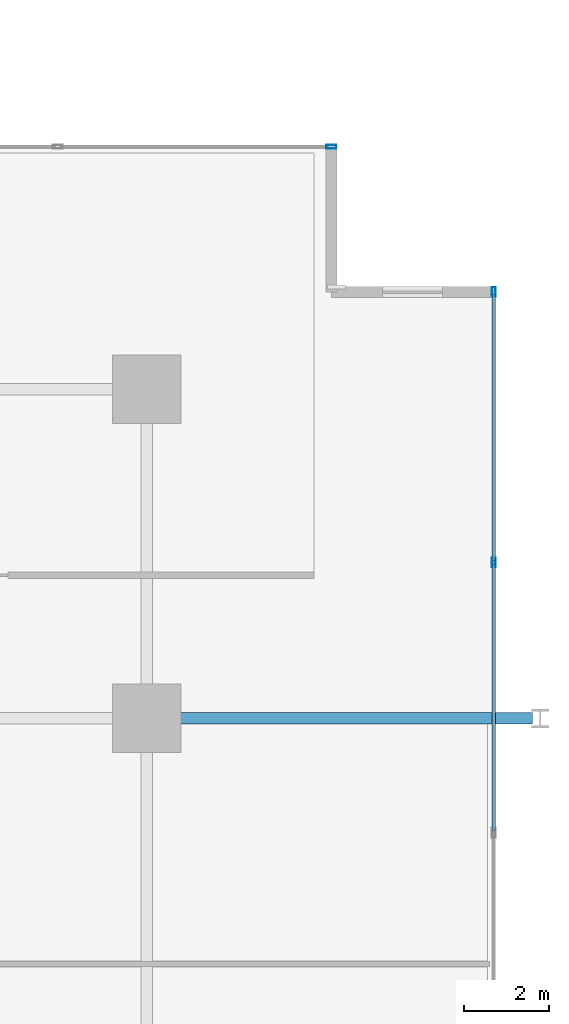
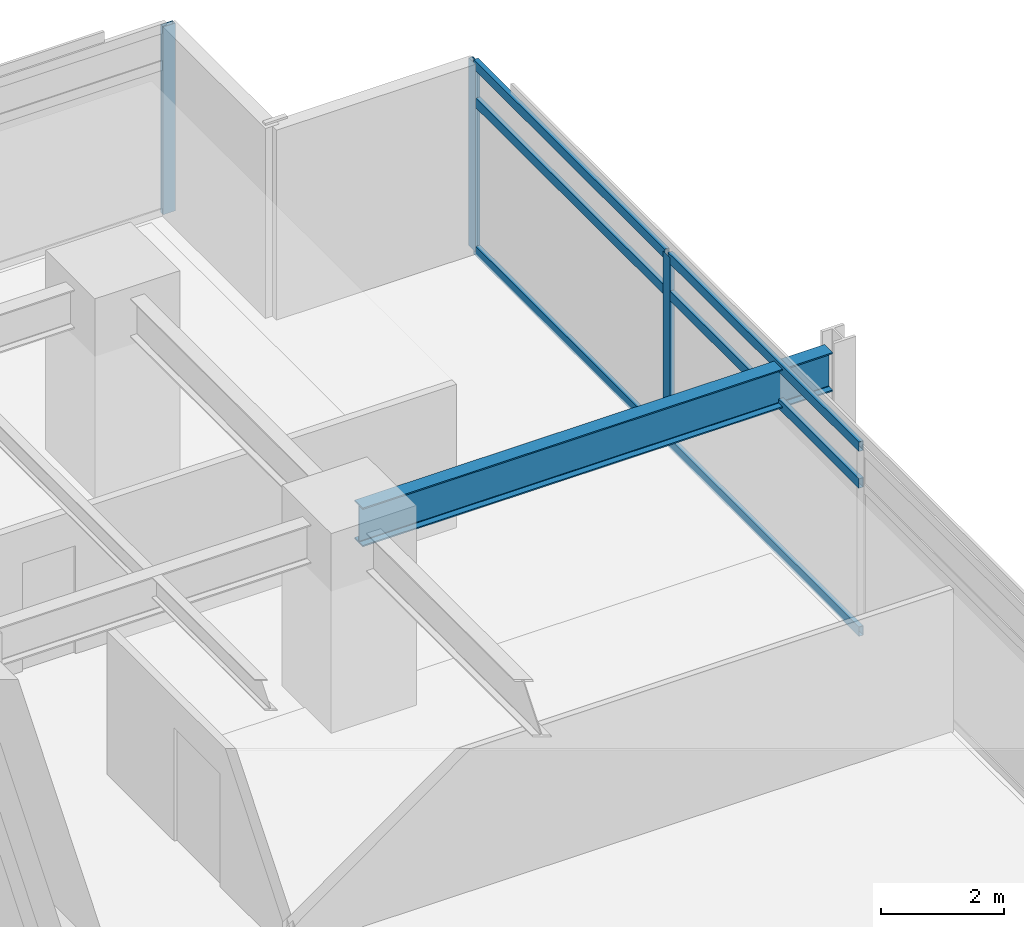
# One storey, part 12 of 24: 9 members, 1 beam, 2 elements without a shape of their own.
"""IFC4 building model written with IfcOpenShell, lengths in metres."""

import ifcopenshell
import ifcopenshell.guid

model = None  # the IFC model being written
_history = None  # IfcOwnerHistory: only IFC2X3 demands one
_inside = {}  # id of a spatial element -> (the spatial element, [elements in it])
_under = {}  # id of a project, library or spatial element -> (it, [spatial elements below it])
_declared = {}  # id of a project -> (the project, [libraries it declares])
_typed = {}  # id of a type object -> (the type object, [elements of that type])
_made_of = {}  # id of a material, layer set ... -> (it, [elements and type objects made of it])


def new_model(schema):
    """Start an empty IFC model of exactly this schema.

    Asked for "IFC4X3", IfcOpenShell would pick the latest addendum, in which some entities
    have other attributes; the version numbers below select the first issue.
    IFC2X3 requires an IfcOwnerHistory on every rooted entity: one is made here for all.
    """
    global model, _history
    if schema == "IFC4X3":
        model = ifcopenshell.file(schema_version=(4, 3, 0, 0))
    else:
        model = ifcopenshell.file(schema=schema)
    _inside.clear()
    _under.clear()
    _declared.clear()
    _typed.clear()
    _made_of.clear()
    _history = None
    if model.schema == "IFC2X3":
        org = make("IfcOrganization", Name="unknown")
        user = make(
            "IfcPersonAndOrganization",
            ThePerson=make("IfcPerson", FamilyName="unknown"),
            TheOrganization=org,
        )
        app = make(
            "IfcApplication",
            ApplicationDeveloper=org,
            Version="unknown",
            ApplicationFullName="unknown",
            ApplicationIdentifier="unknown",
        )
        _history = make(
            "IfcOwnerHistory",
            OwningUser=user,
            OwningApplication=app,
            ChangeAction="ADDED",
            CreationDate=0,
        )
    return model


def make(cls, **values):
    """One entity of the class cls with the attributes given. An attribute that is None is left unset."""
    return model.create_entity(
        cls, **{name: value for name, value in values.items() if value is not None}
    )


def rooted(cls, **values):
    """An entity with a GlobalId (a new one), such as an element, a storey or a relation."""
    return make(cls, GlobalId=ifcopenshell.guid.new(), OwnerHistory=_history, **values)


def si_unit(unit_type, name, prefix=None):
    """IfcSIUnit, for example si_unit("LENGTHUNIT", "METRE", prefix="MILLI")."""
    return make("IfcSIUnit", UnitType=unit_type, Prefix=prefix, Name=name)


def assignment(units):
    """IfcUnitAssignment: the units of a project."""
    return None if units is None else make("IfcUnitAssignment", Units=units)


def point(xyz):
    """IfcCartesianPoint."""
    return None if xyz is None else make("IfcCartesianPoint", Coordinates=xyz)


def direction(xyz):
    """IfcDirection."""
    return None if xyz is None else make("IfcDirection", DirectionRatios=xyz)


def frame(location, z_axis=None, x_axis=None):
    """IfcAxis2Placement3D, a coordinate frame: its origin and axes. An axis left out is left unset."""
    return make(
        "IfcAxis2Placement3D",
        Location=point(location),
        Axis=direction(z_axis),
        RefDirection=direction(x_axis),
    )


def frame_2d(location, x_axis=None):
    """IfcAxis2Placement2D, a coordinate frame in the plane: its origin and x axis."""
    return make(
        "IfcAxis2Placement2D", Location=point(location), RefDirection=direction(x_axis)
    )


def origin():
    """The frame at (0, 0, 0) with its axes left unset."""
    return frame((0.0, 0.0, 0.0))


def origin_2d():
    """The frame at (0, 0) in the plane with its x axis left unset."""
    return frame_2d((0.0, 0.0))


def place(relative_to, where):
    """IfcLocalPlacement: puts the frame where relative to a parent placement (None: the world)."""
    return make(
        "IfcLocalPlacement", PlacementRelTo=relative_to, RelativePlacement=where
    )


def context(
    kind, dimensions, precision=None, world=None, true_north=None, identifier=None
):
    """IfcGeometricRepresentationContext, for example the 3D "Model" context."""
    return make(
        "IfcGeometricRepresentationContext",
        ContextIdentifier=identifier,
        ContextType=kind,
        CoordinateSpaceDimension=dimensions,
        Precision=precision,
        WorldCoordinateSystem=world,
        TrueNorth=true_north,
    )


def subcontext(parent, identifier, kind, view, scale=None):
    """IfcGeometricRepresentationSubContext, for example "Body" below "Model"."""
    return make(
        "IfcGeometricRepresentationSubContext",
        ContextIdentifier=identifier,
        ContextType=kind,
        ParentContext=parent,
        TargetScale=scale,
        TargetView=view,
    )


def project(units=None, contexts=None):
    """IfcProject with its units and contexts."""
    return rooted(
        "IfcProject",
        Name="project",
        RepresentationContexts=contexts,
        UnitsInContext=assignment(units),
    )


def spatial(cls, under=None, at=None, **own):
    """A site, building, storey or space (cls), placed at a placement, below another one or the project."""
    s = rooted(cls, ObjectPlacement=at, **own)
    if under is not None:
        _under.setdefault(under.id(), (under, []))[1].append(s)
    return s


def profile(cls, at=None, kind="AREA", **sizes):
    """A parametric profile (cls). Its sizes go by their IFC names, for example OverallWidth=200.0."""
    return make(cls, ProfileType=kind, Position=at, **sizes)


def hollow_rectangle(**sizes):
    """IfcRectangleHollowProfileDef."""
    return profile("IfcRectangleHollowProfileDef", **sizes)


def i_section(**sizes):
    """IfcIShapeProfileDef."""
    return profile("IfcIShapeProfileDef", **sizes)


def extrude(swept, where, along, depth):
    """IfcExtrudedAreaSolid: the profile swept, set in the frame where, extruded along a direction by depth."""
    return make(
        "IfcExtrudedAreaSolid",
        SweptArea=swept,
        Position=where,
        ExtrudedDirection=direction(along),
        Depth=depth,
    )


def shape(context_of_items, identifier, shape_type, items):
    """IfcShapeRepresentation: the items that make up one representation, for example the "Body"."""
    return make(
        "IfcShapeRepresentation",
        ContextOfItems=context_of_items,
        RepresentationIdentifier=identifier,
        RepresentationType=shape_type,
        Items=items,
    )


def material(Name=None, Category=None):
    """IfcMaterial."""
    return make("IfcMaterial", Name=Name, Category=Category)


def material_profile(
    of_material, cross_section, Name=None, Category=None, Priority=None
):
    """IfcMaterialProfile: a cross section and its material."""
    return make(
        "IfcMaterialProfile",
        Name=Name,
        Material=of_material,
        Profile=cross_section,
        Priority=Priority,
        Category=Category,
    )


def profile_set(profiles, Name=None, composite=None):
    """IfcMaterialProfileSet."""
    return make(
        "IfcMaterialProfileSet",
        Name=Name,
        MaterialProfiles=profiles,
        CompositeProfile=composite,
    )


def made_of(thing, what):
    """Note that an element or type object is made of a material, layer set ...; save() writes the relation."""
    if what is not None:
        _made_of.setdefault(what.id(), (what, []))[1].append(thing)
    return thing


def type_object(cls, material=None, **own):
    """A type object (cls), such as IfcWallType, which elements share."""
    return made_of(rooted(cls, **own), material)


def element(
    cls,
    number,
    at=None,
    inside=None,
    cuts=None,
    type_object=None,
    material=None,
    context=None,
    identifier="Body",
    shape_type=None,
    held_by="IfcProductDefinitionShape",
    body=None,
    shapes=None,
    **own,
):
    """One element of the class cls, such as IfcWall. Its Tag is "e" and its number.

    at: its placement. inside: the storey or other place that contains it. cuts: it is an
    opening in that element (IfcRelVoidsElement). A single representation is given by context,
    identifier, shape_type and body (its items); several are given by shapes. held_by: the class
    of the entity that holds the representations. save() writes the other relations.
    """
    e = rooted(cls, Tag="e%d" % number, ObjectPlacement=at, **own)
    if body is not None:
        shapes = [shape(context, identifier, shape_type, body)]
    if shapes is not None:
        e.Representation = make(held_by, Representations=shapes)
    if inside is not None:
        _inside.setdefault(inside.id(), (inside, []))[1].append(e)
    if cuts is not None:
        rooted(
            "IfcRelVoidsElement", RelatingBuildingElement=cuts, RelatedOpeningElement=e
        )
    if type_object is not None:
        _typed.setdefault(type_object.id(), (type_object, []))[1].append(e)
    return made_of(e, material)


def aggregate(whole, parts):
    """IfcRelAggregates: a whole, such as a stair, and the parts it consists of."""
    return rooted("IfcRelAggregates", RelatingObject=whole, RelatedObjects=parts)


def save(model, path):
    """Write the relations noted so far, then the file.

    IfcRelAggregates (storeys below a building ...), IfcRelContainedInSpatialStructure (elements
    in a storey), IfcRelDefinesByType, IfcRelAssociatesMaterial and IfcRelDeclares: one each for
    every whole, place, type object, material and project.
    """
    for whole, parts in _under.values():
        aggregate(whole, parts)
    for where, things in _inside.values():
        rooted(
            "IfcRelContainedInSpatialStructure",
            RelatedElements=things,
            RelatingStructure=where,
        )
    for kind, things in _typed.values():
        rooted("IfcRelDefinesByType", RelatedObjects=things, RelatingType=kind)
    for what, things in _made_of.values():
        rooted("IfcRelAssociatesMaterial", RelatedObjects=things, RelatingMaterial=what)
    for by, libraries in _declared.values():
        rooted("IfcRelDeclares", RelatingContext=by, RelatedDefinitions=libraries)
    model.write(path)


model = new_model("IFC4")

# Units and contexts
model_context = context("Model", 3, precision=1e-05, world=origin(), true_north=direction((0.0, 1.0)))
body_context = subcontext(model_context, "Body", "Model", "MODEL_VIEW")
ifc_project = project(units=[si_unit("LENGTHUNIT", "METRE"), si_unit("AREAUNIT", "SQUARE_METRE"), si_unit("VOLUMEUNIT", "CUBIC_METRE"), si_unit("PLANEANGLEUNIT", "RADIAN"), si_unit("MASSUNIT", "GRAM", prefix="KILO")], contexts=[model_context])

# Site, building, storey
site_placement = place(None, origin())
site = spatial("IfcSite", under=ifc_project, at=site_placement, CompositionType="ELEMENT")
building_placement = place(site_placement, origin())
building = spatial("IfcBuilding", under=site, at=building_placement, Name="Kovane Verandah Tower", CompositionType="ELEMENT")
storey_placement = place(building_placement, frame((0.0, 0.0, 144.39990234375)))
storey = spatial("IfcBuildingStorey", under=building, at=storey_placement, Name="L33", CompositionType="ELEMENT", Elevation=144.39990234375)

# Beam
ifc_material_1 = material(Name="Steel S355", Category="steel")
ifc_material_profile_1 = material_profile(ifc_material_1, i_section(OverallWidth=0.26806640625, OverallDepth=0.769775390625, WebThickness=0.015625, FlangeThickness=0.025390625, FilletRadius=0.0166015625, at=origin_2d()), Name="UB762x267x197")
ifc_profile_set_1 = profile_set([ifc_material_profile_1], Name="Steel S355")
beam_type = type_object("IfcBeamType", Name="BM-UB762x197", PredefinedType="BEAM", material=ifc_profile_set_1)
beam_placement = place(storey_placement, frame((58.580078125, 36.5, 3.375244140625), z_axis=(1.0, 0.0, 0.0), x_axis=(0.0, 1.0, 0.0)))
element("IfcBeam", 1, at=beam_placement, inside=storey, type_object=beam_type, Name="L33 Primary Tower Girder G-VE2", PredefinedType="BEAM", context=body_context, shape_type="SweptSolid", body=[
    extrude(i_section(OverallWidth=0.26806640625, OverallDepth=0.769775390625, WebThickness=0.015625, FlangeThickness=0.025390625, FilletRadius=0.0166015625, at=origin_2d()), origin(), (0.0, 0.0, 1.0), 8.83984375),
])

# Curtain wall, members
ifc_material_2 = material(Name="Champagne Anodised Aluminium Frame with Low-E Clear Laminated Glass", Category="aluminium")
curtain_wall_type = type_object("IfcCurtainWallType", Name="CW-SYS-03-MID", PredefinedType="NOTDEFINED", material=ifc_material_2)
curtain_wall_1_placement = place(storey_placement, origin())
curtain_wall_1 = element("IfcCurtainWall", 2, at=curtain_wall_1_placement, inside=storey, type_object=curtain_wall_type, Name="L33 E Unitised Curtain Wall", PredefinedType="NOTDEFINED")
ifc_material_3 = material(Name="Champagne Anodised Aluminium 6063-T6", Category="aluminium")
ifc_material_profile_2 = material_profile(ifc_material_3, hollow_rectangle(XDim=0.0849609375, YDim=0.22998046875, WallThickness=0.00390625, at=origin_2d()), Name="AL85x230x4")
ifc_profile_set_2 = profile_set([ifc_material_profile_2], Name="Champagne Anodised Aluminium 6063-T6")
member_type_1 = type_object("IfcMemberType", Name="CW-MUL-85x230", PredefinedType="MULLION", material=ifc_profile_set_2)
member_1_placement = place(storey_placement, frame((66.513916015625, 40.14990234375, 0.02001953125), z_axis=(0.0, 0.0, 1.0), x_axis=(1.0, 0.0, 0.0)))
member_1 = element("IfcMember", 3, at=member_1_placement, type_object=member_type_1, Name="L33 E Unitised Curtain Wall Mullion 6", PredefinedType="MULLION", context=body_context, shape_type="SweptSolid", body=[
    extrude(hollow_rectangle(XDim=0.0849609375, YDim=0.22998046875, WallThickness=0.00390625, at=origin_2d()), origin(), (0.0, 0.0, 1.0), 3.735107421875),
])
member_2_placement = place(storey_placement, frame((66.513916015625, 46.47509765625, 0.02001953125), z_axis=(0.0, 0.0, 1.0), x_axis=(1.0, 0.0, 0.0)))
member_2 = element("IfcMember", 4, at=member_2_placement, type_object=member_type_1, Name="L33 E Unitised Curtain Wall Mullion 7", PredefinedType="MULLION", context=body_context, shape_type="SweptSolid", body=[
    extrude(hollow_rectangle(XDim=0.0849609375, YDim=0.22998046875, WallThickness=0.00390625, at=origin_2d()), origin(), (0.0, 0.0, 1.0), 3.735107421875),
])

# Curtain wall, member
curtain_wall_2_placement = place(storey_placement, origin())
curtain_wall_2 = element("IfcCurtainWall", 5, at=curtain_wall_2_placement, inside=storey, type_object=curtain_wall_type, Name="L33 N Unitised Curtain Wall", PredefinedType="NOTDEFINED")
member_3_placement = place(storey_placement, frame((62.7138671875, 49.875, 0.02001953125), z_axis=(0.0, 0.0, 1.0), x_axis=(0.0, 1.0, 0.0)))
member_3 = element("IfcMember", 6, at=member_3_placement, type_object=member_type_1, Name="L33 N Unitised Curtain Wall Mullion 1", PredefinedType="MULLION", context=body_context, shape_type="SweptSolid", body=[
    extrude(hollow_rectangle(XDim=0.0849609375, YDim=0.22998046875, WallThickness=0.00390625, at=origin_2d()), origin(), (0.0, 0.0, 1.0), 3.735107421875),
])
aggregate(curtain_wall_2, [member_3])

# Member
ifc_material_profile_3 = material_profile(ifc_material_3, hollow_rectangle(XDim=0.0849609375, YDim=0.18994140625, WallThickness=0.00390625, at=origin_2d()), Name="AL85x190x4")
ifc_profile_set_3 = profile_set([ifc_material_profile_3], Name="Champagne Anodised Aluminium 6063-T6")
member_type_2 = type_object("IfcMemberType", Name="CW-TRN-85x190", PredefinedType="USERDEFINED", material=ifc_profile_set_3)
member_4_placement = place(storey_placement, frame((66.513916015625, 33.875, 0.050048828125), z_axis=(0.0, 1.0, 0.0), x_axis=(-1.0, 0.0, 0.0)))
member_4 = element("IfcMember", 7, at=member_4_placement, type_object=member_type_2, Name="L33 E Unitised Curtain Wall Transom TB Bay 5", ObjectType="TRANSOM", PredefinedType="USERDEFINED", context=body_context, shape_type="SweptSolid", body=[
    extrude(hollow_rectangle(XDim=0.0849609375, YDim=0.18994140625, WallThickness=0.00390625, at=origin_2d()), origin(), (0.0, 0.0, 1.0), 6.22509765625),
])

member_5_placement = place(storey_placement, frame((66.513916015625, 33.875, 2.9951171875), z_axis=(0.0, 1.0, 0.0), x_axis=(-1.0, 0.0, 0.0)))
member_5 = element("IfcMember", 8, at=member_5_placement, type_object=member_type_2, Name="L33 E Unitised Curtain Wall Transom TM Bay 5", ObjectType="TRANSOM", PredefinedType="USERDEFINED", context=body_context, shape_type="SweptSolid", body=[
    extrude(hollow_rectangle(XDim=0.0849609375, YDim=0.18994140625, WallThickness=0.00390625, at=origin_2d()), origin(), (0.0, 0.0, 1.0), 6.22509765625),
])

member_6_placement = place(storey_placement, frame((66.513916015625, 33.875, 3.72509765625), z_axis=(0.0, 1.0, 0.0), x_axis=(-1.0, 0.0, 0.0)))
member_6 = element("IfcMember", 9, at=member_6_placement, type_object=member_type_2, Name="L33 E Unitised Curtain Wall Transom TT Bay 5", ObjectType="TRANSOM", PredefinedType="USERDEFINED", context=body_context, shape_type="SweptSolid", body=[
    extrude(hollow_rectangle(XDim=0.0849609375, YDim=0.18994140625, WallThickness=0.00390625, at=origin_2d()), origin(), (0.0, 0.0, 1.0), 6.22509765625),
])

member_7_placement = place(storey_placement, frame((66.513916015625, 40.199951171875, 0.050048828125), z_axis=(0.0, 1.0, 0.0), x_axis=(-1.0, 0.0, 0.0)))
member_7 = element("IfcMember", 10, at=member_7_placement, type_object=member_type_2, Name="L33 E Unitised Curtain Wall Transom TB Bay 6", ObjectType="TRANSOM", PredefinedType="USERDEFINED", context=body_context, shape_type="SweptSolid", body=[
    extrude(hollow_rectangle(XDim=0.0849609375, YDim=0.18994140625, WallThickness=0.00390625, at=origin_2d()), origin(), (0.0, 0.0, 1.0), 6.22509765625),
])

member_8_placement = place(storey_placement, frame((66.513916015625, 40.199951171875, 2.9951171875), z_axis=(0.0, 1.0, 0.0), x_axis=(-1.0, 0.0, 0.0)))
member_8 = element("IfcMember", 11, at=member_8_placement, type_object=member_type_2, Name="L33 E Unitised Curtain Wall Transom TM Bay 6", ObjectType="TRANSOM", PredefinedType="USERDEFINED", context=body_context, shape_type="SweptSolid", body=[
    extrude(hollow_rectangle(XDim=0.0849609375, YDim=0.18994140625, WallThickness=0.00390625, at=origin_2d()), origin(), (0.0, 0.0, 1.0), 6.22509765625),
])

member_9_placement = place(storey_placement, frame((66.513916015625, 40.199951171875, 3.72509765625), z_axis=(0.0, 1.0, 0.0), x_axis=(-1.0, 0.0, 0.0)))
member_9 = element("IfcMember", 12, at=member_9_placement, type_object=member_type_2, Name="L33 E Unitised Curtain Wall Transom TT Bay 6", ObjectType="TRANSOM", PredefinedType="USERDEFINED", context=body_context, shape_type="SweptSolid", body=[
    extrude(hollow_rectangle(XDim=0.0849609375, YDim=0.18994140625, WallThickness=0.00390625, at=origin_2d()), origin(), (0.0, 0.0, 1.0), 6.22509765625),
])

aggregate(curtain_wall_1, [member_1, member_2, member_4, member_5, member_6, member_7, member_8, member_9])

save(model, "model.ifc")
